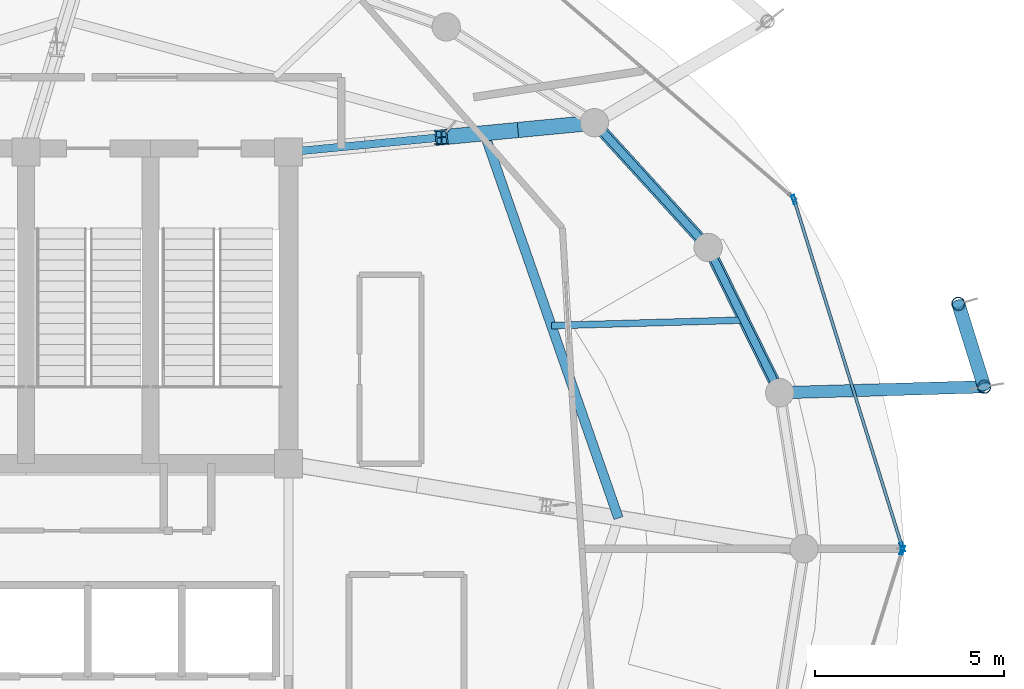
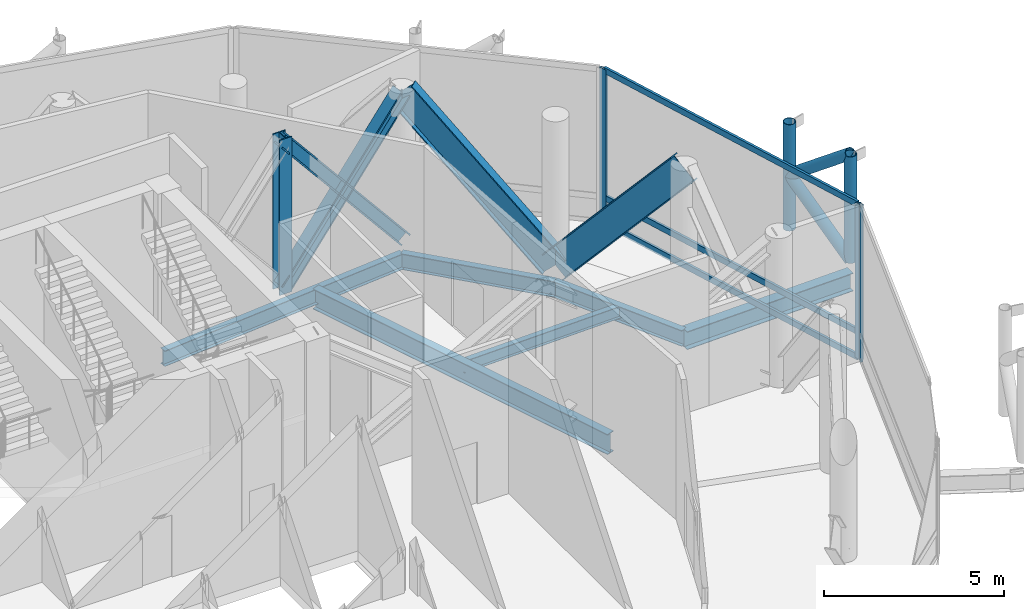
# One storey, part 11 of 26: 15 members, 6 beams, 2 elements without a shape of their own.
"""IFC4 building model written with IfcOpenShell, lengths in metres."""

from ifc_helpers import new_model, si_unit, direction, frame, origin, origin_2d, place, context, subcontext, project, spatial, hollow_rectangle, hollow_circle, i_section, extrude, material, layer, layer_set, material_profile, profile_set, type_object, element, aggregate, save


model = new_model("IFC4")

# Units and contexts
model_context = context("Model", 3, precision=1e-05, world=origin(), true_north=direction((0.0, 1.0)))
body_context = subcontext(model_context, "Body", "Model", "MODEL_VIEW")
ifc_project = project(units=[si_unit("LENGTHUNIT", "METRE"), si_unit("AREAUNIT", "SQUARE_METRE"), si_unit("VOLUMEUNIT", "CUBIC_METRE"), si_unit("PLANEANGLEUNIT", "RADIAN"), si_unit("MASSUNIT", "GRAM", prefix="KILO")], contexts=[model_context])

# Site, building, storey
site_placement = place(None, origin())
site = spatial("IfcSite", under=ifc_project, at=site_placement, CompositionType="ELEMENT")
building_placement = place(site_placement, origin())
building = spatial("IfcBuilding", under=site, at=building_placement, Name="Nuhasar Tower", CompositionType="ELEMENT")
storey_placement = place(building_placement, frame((0.0, 0.0, 301.199951171875)))
storey = spatial("IfcBuildingStorey", under=building, at=storey_placement, Name="L75", CompositionType="ELEMENT", Elevation=301.199951171875)

# Members
ifc_material_1 = material(Name="Steel S460", Category="steel")
ifc_material_profile_1 = material_profile(ifc_material_1, i_section(OverallWidth=0.306884765625, OverallDepth=0.927001953125, WebThickness=0.019287109375, FlangeThickness=0.031982421875, at=origin_2d()), Name="W36X194")
ifc_profile_set_1 = profile_set([ifc_material_profile_1], Name="Steel S460")
member_type_1 = type_object("IfcMemberType", Name="BLT-DIAG-W36B", PredefinedType="CHORD", material=ifc_profile_set_1)
member_1_placement = place(storey_placement, frame((55.410888671875, 34.77490234375, 0.150146484375), z_axis=(0.289078285909, -0.587439586157, 0.75587596683), x_axis=(0.897244952377, 0.441533119295, 0.0)))
element("IfcMember", 1, at=member_1_placement, inside=storey, type_object=member_type_1, Name="L75 Belt Truss Diagonal 02", PredefinedType="CHORD", context=body_context, shape_type="SweptSolid", body=[
    extrude(i_section(OverallWidth=0.306884765625, OverallDepth=0.927001953125, WebThickness=0.019287109375, FlangeThickness=0.031982421875, at=origin_2d()), origin(), (0.0, 0.0, 1.0), 6.548583984375),
])
member_2_placement = place(storey_placement, frame((55.410888671875, 34.77490234375, 0.150146484375), z_axis=(-0.451478957779, 0.495261397858, 0.742214860047), x_axis=(-0.739017432293, -0.673686302939, 0.0)))
element("IfcMember", 2, at=member_2_placement, inside=storey, type_object=member_type_1, Name="L75 Belt Truss Diagonal 03", PredefinedType="CHORD", context=body_context, shape_type="SweptSolid", body=[
    extrude(i_section(OverallWidth=0.306884765625, OverallDepth=0.927001953125, WebThickness=0.019287109375, FlangeThickness=0.031982421875, at=origin_2d()), origin(), (0.0, 0.0, 1.0), 6.669189453125),
])

# Beams
ifc_material_2 = material(Name="Steel S355", Category="steel")
ifc_material_profile_2 = material_profile(ifc_material_2, i_section(OverallWidth=0.25390625, OverallDepth=0.68408203125, WebThickness=0.012451171875, FlangeThickness=0.018798828125, at=origin_2d()), Name="W27X94")
ifc_profile_set_2 = profile_set([ifc_material_profile_2], Name="Steel S355")
beam_type_1 = type_object("IfcBeamType", Name="BM-INRING-W27X94", PredefinedType="BEAM", material=ifc_profile_set_2)
beam_1_placement = place(storey_placement, frame((53.035888671875, 27.610107421875, -0.69189453125), z_axis=(-0.329211236979, 0.944256300718, 0.0), x_axis=(-0.944256300718, -0.329211236979, 0.0)))
element("IfcBeam", 3, at=beam_1_placement, inside=storey, type_object=beam_type_1, Name="L75 Inner Header Beam 04", PredefinedType="BEAM", context=body_context, shape_type="SweptSolid", body=[
    extrude(i_section(OverallWidth=0.25390625, OverallDepth=0.68408203125, WebThickness=0.012451171875, FlangeThickness=0.018798828125, at=origin_2d()), origin(), (0.0, 0.0, 1.0), 10.78955078125),
])
ifc_material_profile_3 = material_profile(ifc_material_2, i_section(OverallWidth=0.177978515625, OverallDepth=0.406005859375, WebThickness=0.0078125, FlangeThickness=0.0126953125, at=origin_2d()), Name="W16X40")
ifc_profile_set_3 = profile_set([ifc_material_profile_3], Name="Steel S355")
beam_type_2 = type_object("IfcBeamType", Name="BM-JST-W16X40", PredefinedType="JOIST", material=ifc_profile_set_3)
beam_2_placement = place(storey_placement, frame((51.260009765625, 32.7041015625, -0.552978515625), z_axis=(0.999579139243, 0.02900938453, 0.0), x_axis=(-0.02900938453, 0.999579139243, 0.0)))
element("IfcBeam", 4, at=beam_2_placement, inside=storey, type_object=beam_type_2, Name="L75 Secondary Floor Joist 04", PredefinedType="JOIST", context=body_context, shape_type="SweptSolid", body=[
    extrude(i_section(OverallWidth=0.177978515625, OverallDepth=0.406005859375, WebThickness=0.0078125, FlangeThickness=0.0126953125, at=origin_2d()), origin(), (0.0, 0.0, 1.0), 5.10009765625),
])
ifc_material_profile_4 = material_profile(ifc_material_2, i_section(OverallWidth=0.208984375, OverallDepth=0.528076171875, WebThickness=0.009521484375, FlangeThickness=0.01318359375, at=origin_2d()), Name="W21X55")
ifc_profile_set_4 = profile_set([ifc_material_profile_4], Name="Steel S355")
beam_type_3 = type_object("IfcBeamType", Name="BM-RAD-W21X55", PredefinedType="BEAM", material=ifc_profile_set_4)
beam_3_placement = place(storey_placement, frame((44.300048828125, 37.300048828125, -0.614013671875), z_axis=(0.99542073054, 0.095590633496, 0.0), x_axis=(-0.095590633496, 0.99542073054, 0.0)))
element("IfcBeam", 5, at=beam_3_placement, inside=storey, type_object=beam_type_3, Name="L75 Radial Floor Girder 05", PredefinedType="BEAM", context=body_context, shape_type="SweptSolid", body=[
    extrude(i_section(OverallWidth=0.208984375, OverallDepth=0.528076171875, WebThickness=0.009521484375, FlangeThickness=0.01318359375, at=origin_2d()), origin(), (0.0, 0.0, 1.0), 8.13720703125),
])
ifc_material_profile_5 = material_profile(ifc_material_2, i_section(OverallWidth=0.2099609375, OverallDepth=0.537109375, WebThickness=0.010986328125, FlangeThickness=0.017333984375, at=origin_2d()), Name="W21X68")
ifc_profile_set_5 = profile_set([ifc_material_profile_5], Name="Steel S355")
beam_type_4 = type_object("IfcBeamType", Name="BM-RING-W21X68", PredefinedType="SPANDREL", material=ifc_profile_set_5)
beam_4_placement = place(storey_placement, frame((57.303955078125, 30.927978515625, -0.617919921875), z_axis=(-0.441533119295, 0.897244952377, 0.0), x_axis=(-0.897244952377, -0.441533119295, 0.0)))
element("IfcBeam", 6, at=beam_4_placement, inside=storey, type_object=beam_type_4, Name="L75 Perimeter Ring Spandrel 02", PredefinedType="SPANDREL", context=body_context, shape_type="SweptSolid", body=[
    extrude(i_section(OverallWidth=0.2099609375, OverallDepth=0.537109375, WebThickness=0.010986328125, FlangeThickness=0.017333984375, at=origin_2d()), origin(), (0.0, 0.0, 1.0), 4.28759765625),
])
beam_5_placement = place(storey_placement, frame((55.410888671875, 34.77490234375, -0.617919921875), z_axis=(-0.673686302939, 0.739017432293, 0.0), x_axis=(-0.739017432293, -0.673686302939, 0.0)))
element("IfcBeam", 7, at=beam_5_placement, inside=storey, type_object=beam_type_4, Name="L75 Perimeter Ring Spandrel 03", PredefinedType="SPANDREL", context=body_context, shape_type="SweptSolid", body=[
    extrude(i_section(OverallWidth=0.2099609375, OverallDepth=0.537109375, WebThickness=0.010986328125, FlangeThickness=0.017333984375, at=origin_2d()), origin(), (0.0, 0.0, 1.0), 4.469482421875),
])
ifc_material_profile_6 = material_profile(ifc_material_2, i_section(OverallWidth=0.323974609375, OverallDepth=0.611083984375, WebThickness=0.0126953125, FlangeThickness=0.01904296875, at=origin_2d()), Name="W24X104")
ifc_profile_set_6 = profile_set([ifc_material_profile_6], Name="Steel S355")
beam_type_5 = type_object("IfcBeamType", Name="BM-TIE-W24X104", PredefinedType="BEAM", material=ifc_profile_set_6)
beam_6_placement = place(storey_placement, frame((57.303955078125, 30.927978515625, -0.655029296875), z_axis=(0.999574661214, 0.029163275875, 0.0), x_axis=(-0.029163275875, 0.999574661214, 0.0)))
element("IfcBeam", 8, at=beam_6_placement, inside=storey, type_object=beam_type_5, Name="L75 Exoskeleton Node Tie Beam 01", PredefinedType="BEAM", context=body_context, shape_type="SweptSolid", body=[
    extrude(i_section(OverallWidth=0.323974609375, OverallDepth=0.611083984375, WebThickness=0.0126953125, FlangeThickness=0.01904296875, at=origin_2d()), origin(), (0.0, 0.0, 1.0), 5.416259765625),
])

# Curtain wall, members
ifc_material_3 = material(Name="Aluminium 6063-T6", Category="aluminium")
ifc_layer = layer(ifc_material_3, 0.219970703125)
ifc_layer_set = layer_set([ifc_layer], Name="Aluminium 6063-T6")
curtain_wall_type = type_object("IfcCurtainWallType", Name="CW-CROWN", PredefinedType="NOTDEFINED", material=ifc_layer_set)
curtain_wall_1_placement = place(storey_placement, origin())
curtain_wall_1 = element("IfcCurtainWall", 9, at=curtain_wall_1_placement, inside=storey, type_object=curtain_wall_type, Name="L75 Unitised Curtain Wall 01", PredefinedType="NOTDEFINED")
ifc_material_profile_7 = material_profile(ifc_material_3, hollow_rectangle(XDim=0.080078125, YDim=0.239990234375, WallThickness=0.0048828125, at=origin_2d()), Name="CWM-7")
ifc_profile_set_7 = profile_set([ifc_material_profile_7], Name="Aluminium 6063-T6")
member_type_2 = type_object("IfcMemberType", Name="CW-MUL-S7", PredefinedType="MULLION", material=ifc_profile_set_7)
member_3_placement = place(storey_placement, frame((60.548095703125, 26.838134765625, 0.0), z_axis=(0.0, 0.0, 1.0), x_axis=(-0.954830829827, -0.297149939275, 0.0)))
member_3 = element("IfcMember", 10, at=member_3_placement, type_object=member_type_2, Name="CW-CR mullion 1", PredefinedType="MULLION", context=body_context, shape_type="SweptSolid", body=[
    extrude(hollow_rectangle(XDim=0.080078125, YDim=0.239990234375, WallThickness=0.0048828125, at=origin_2d()), origin(), (0.0, 0.0, 1.0), 5.25),
])
member_4_placement = place(storey_placement, frame((57.683837890625, 36.041748046875, 0.0), z_axis=(0.0, 0.0, 1.0), x_axis=(-0.954830829827, -0.297149939275, 0.0)))
member_4 = element("IfcMember", 11, at=member_4_placement, type_object=member_type_2, Name="CW-CR mullion 2", PredefinedType="MULLION", context=body_context, shape_type="SweptSolid", body=[
    extrude(hollow_rectangle(XDim=0.080078125, YDim=0.239990234375, WallThickness=0.0048828125, at=origin_2d()), origin(), (0.0, 0.0, 1.0), 5.25),
])

# Curtain wall, member
curtain_wall_2_placement = place(storey_placement, origin())
curtain_wall_2 = element("IfcCurtainWall", 12, at=curtain_wall_2_placement, inside=storey, type_object=curtain_wall_type, Name="L75 Unitised Curtain Wall 12", PredefinedType="NOTDEFINED")
member_5_placement = place(storey_placement, frame((60.548095703125, 26.76171875, 0.0), z_axis=(0.0, 0.0, 1.0), x_axis=(-0.954830829827, 0.297149939275, 0.0)))
member_5 = element("IfcMember", 13, at=member_5_placement, type_object=member_type_2, Name="CW-CR mullion 2", PredefinedType="MULLION", context=body_context, shape_type="SweptSolid", body=[
    extrude(hollow_rectangle(XDim=0.080078125, YDim=0.239990234375, WallThickness=0.0048828125, at=origin_2d()), origin(), (0.0, 0.0, 1.0), 5.25),
])
aggregate(curtain_wall_2, [member_5])

# Member
ifc_material_profile_8 = material_profile(ifc_material_3, hollow_rectangle(XDim=0.080078125, YDim=0.199951171875, WallThickness=0.00439453125, at=origin_2d()), Name="CWT-7")
ifc_profile_set_8 = profile_set([ifc_material_profile_8], Name="Aluminium 6063-T6")
member_type_3 = type_object("IfcMemberType", Name="CW-TRN-S7", PredefinedType="USERDEFINED", material=ifc_profile_set_8)
member_6_placement = place(storey_placement, frame((60.5361328125, 26.87646484375, 0.0400390625), z_axis=(-0.297138999145, 0.954834234403, 0.0), x_axis=(-0.954834234403, -0.297138999145, 0.0)))
member_6 = element("IfcMember", 14, at=member_6_placement, type_object=member_type_3, Name="CW-CR transom 1.1", ObjectType="TRANSOM", PredefinedType="USERDEFINED", context=body_context, shape_type="SweptSolid", body=[
    extrude(hollow_rectangle(XDim=0.080078125, YDim=0.199951171875, WallThickness=0.00439453125, at=origin_2d()), origin(), (0.0, 0.0, 1.0), 9.558837890625),
])

member_7_placement = place(storey_placement, frame((60.5361328125, 26.87646484375, 0.900146484375), z_axis=(-0.297138999145, 0.954834234403, 0.0), x_axis=(-0.954834234403, -0.297138999145, 0.0)))
member_7 = element("IfcMember", 15, at=member_7_placement, type_object=member_type_3, Name="CW-CR transom 1.2", ObjectType="TRANSOM", PredefinedType="USERDEFINED", context=body_context, shape_type="SweptSolid", body=[
    extrude(hollow_rectangle(XDim=0.080078125, YDim=0.199951171875, WallThickness=0.00439453125, at=origin_2d()), origin(), (0.0, 0.0, 1.0), 9.558837890625),
])

member_8_placement = place(storey_placement, frame((60.5361328125, 26.87646484375, 5.2099609375), z_axis=(-0.297138999145, 0.954834234403, 0.0), x_axis=(-0.954834234403, -0.297138999145, 0.0)))
member_8 = element("IfcMember", 16, at=member_8_placement, type_object=member_type_3, Name="CW-CR transom 1.3", ObjectType="TRANSOM", PredefinedType="USERDEFINED", context=body_context, shape_type="SweptSolid", body=[
    extrude(hollow_rectangle(XDim=0.080078125, YDim=0.199951171875, WallThickness=0.00439453125, at=origin_2d()), origin(), (0.0, 0.0, 1.0), 9.558837890625),
])

aggregate(curtain_wall_1, [member_3, member_4, member_6, member_7, member_8])

# Members
ifc_material_profile_9 = material_profile(ifc_material_1, hollow_circle(Radius=0.177734375, WallThickness=0.015869140625, at=origin_2d()), Name="HSS355.6X15.9")
ifc_profile_set_9 = profile_set([ifc_material_profile_9], Name="Steel S460")
member_type_4 = type_object("IfcMemberType", Name="EXO-BRONZE-356", PredefinedType="BRACE", material=ifc_profile_set_9)
for number, where, z_axis, x_axis, name in (
    (17, (62.718017578125, 31.0859375, 0.0), (0.0, 0.0, 1.0), (1.0, 0.0, 0.0), "L75 Exoskeleton Chord Column EC-01A"),
    (18, (62.032958984375, 33.281005859375, 0.0), (0.0, 0.0, 1.0), (1.0, 0.0, 0.0), "L75 Exoskeleton Chord Column EC-01B"),
):
    element("IfcMember", number, at=place(storey_placement, frame(where, z_axis=z_axis, x_axis=x_axis)), inside=storey, type_object=member_type_4, Name=name, PredefinedType="BRACE", context=body_context, shape_type="SweptSolid", body=[
        extrude(hollow_circle(Radius=0.177734375, WallThickness=0.015869140625, at=origin_2d()), origin(), (0.0, 0.0, 1.0), 3.60009765625),
    ])
for number, where, z_axis, x_axis, name in (
    (19, (62.718017578125, 31.0859375, 0.0), (-0.234589764126, 0.751673759536, 0.616404251925), (-0.954591372974, -0.297918295247, 0.0), "L75 Bronze Diagrid Brace W1-01"),
    (20, (62.032958984375, 33.281005859375, 1.800048828125), (0.234589764126, -0.751673759536, 0.616404251925), (0.954591372974, 0.297918295247, 0.0), "L75 Bronze Diagrid Brace W2-01"),
):
    element("IfcMember", number, at=place(storey_placement, frame(where, z_axis=z_axis, x_axis=x_axis)), inside=storey, type_object=member_type_4, Name=name, PredefinedType="BRACE", context=body_context, shape_type="SweptSolid", body=[
        extrude(hollow_circle(Radius=0.177734375, WallThickness=0.015869140625, at=origin_2d()), origin(), (0.0, 0.0, 1.0), 2.920166015625),
    ])
ifc_material_profile_10 = material_profile(ifc_material_1, i_section(OverallWidth=0.39892578125, OverallDepth=0.385986328125, WebThickness=0.02099609375, FlangeThickness=0.033203125, at=origin_2d()), Name="W14X176")
ifc_profile_set_10 = profile_set([ifc_material_profile_10], Name="Steel S460")
member_type_5 = type_object("IfcMemberType", Name="OUT-CHRD-W14C", PredefinedType="CHORD", material=ifc_profile_set_10)
member_9_placement = place(storey_placement, frame((48.35009765625, 37.68896484375, 0.0), z_axis=(0.0, 0.0, 1.0), x_axis=(1.0, 0.0, 0.0)))
element("IfcMember", 21, at=member_9_placement, inside=storey, type_object=member_type_5, Name="L75 Outrigger Truss Post 05", PredefinedType="CHORD", context=body_context, shape_type="SweptSolid", body=[
    extrude(i_section(OverallWidth=0.39892578125, OverallDepth=0.385986328125, WebThickness=0.02099609375, FlangeThickness=0.033203125, at=origin_2d()), origin(), (0.0, 0.0, 1.0), 5.25),
])
ifc_material_profile_11 = material_profile(ifc_material_1, i_section(OverallWidth=0.406005859375, OverallDepth=0.416015625, WebThickness=0.02978515625, FlangeThickness=0.048095703125, at=origin_2d()), Name="W14X257")
ifc_profile_set_11 = profile_set([ifc_material_profile_11], Name="Steel S460")
member_type_6 = type_object("IfcMemberType", Name="OUT-DIAG-W14B", PredefinedType="STRUT", material=ifc_profile_set_11)
for number, where, z_axis, x_axis, name in (
    (22, (48.35009765625, 37.68896484375, 0.150146484375), (0.632055672443, 0.060698377514, 0.772542124353), (-0.095593488485, 0.99542045637, 0.0), "L75 Outrigger Truss Diagonal OUT1-05"),
    (23, (52.39990234375, 38.077880859375, 0.150146484375), (-0.632055672443, -0.060698377514, 0.772542124353), (0.095593488485, -0.99542045637, 0.0), "L75 Outrigger Truss Diagonal OUT2-05"),
):
    element("IfcMember", number, at=place(storey_placement, frame(where, z_axis=z_axis, x_axis=x_axis)), inside=storey, type_object=member_type_6, Name=name, PredefinedType="STRUT", context=body_context, shape_type="SweptSolid", body=[
        extrude(i_section(OverallWidth=0.406005859375, OverallDepth=0.416015625, WebThickness=0.02978515625, FlangeThickness=0.048095703125, at=origin_2d()), origin(), (0.0, 0.0, 1.0), 6.407470703125),
    ])

save(model, "model.ifc")
